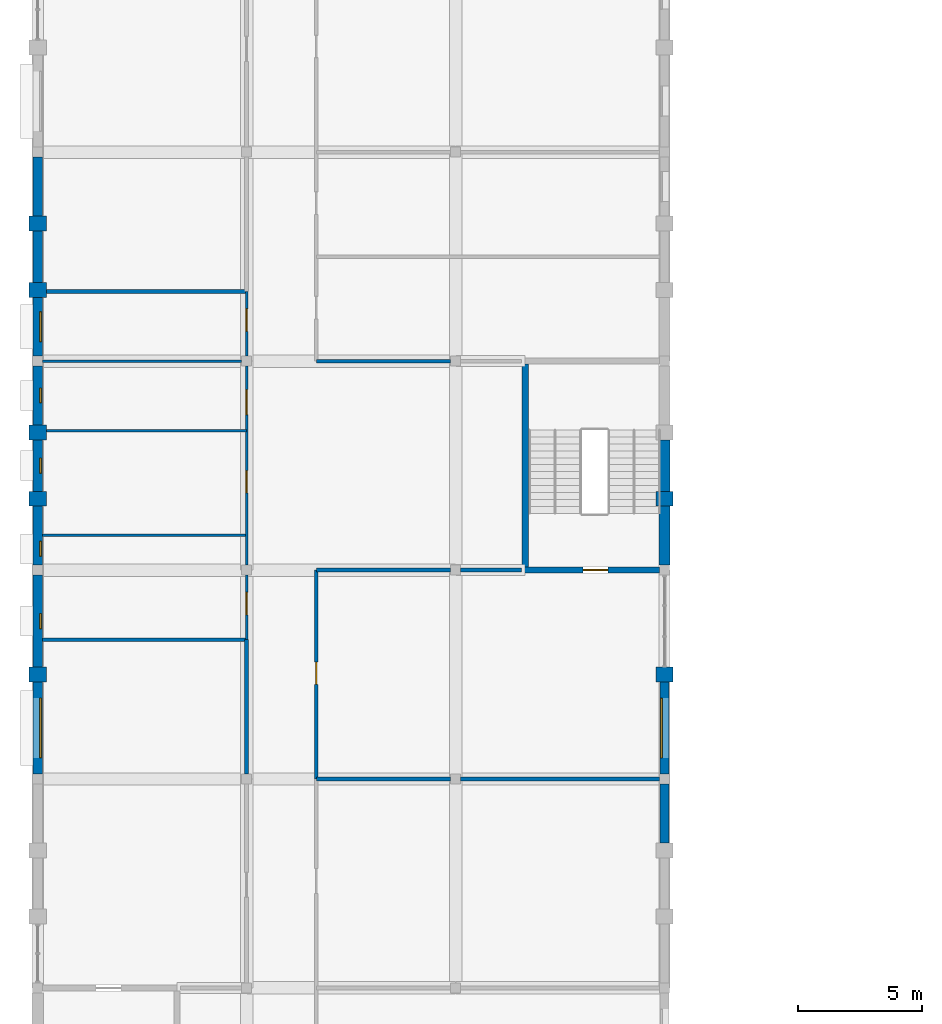
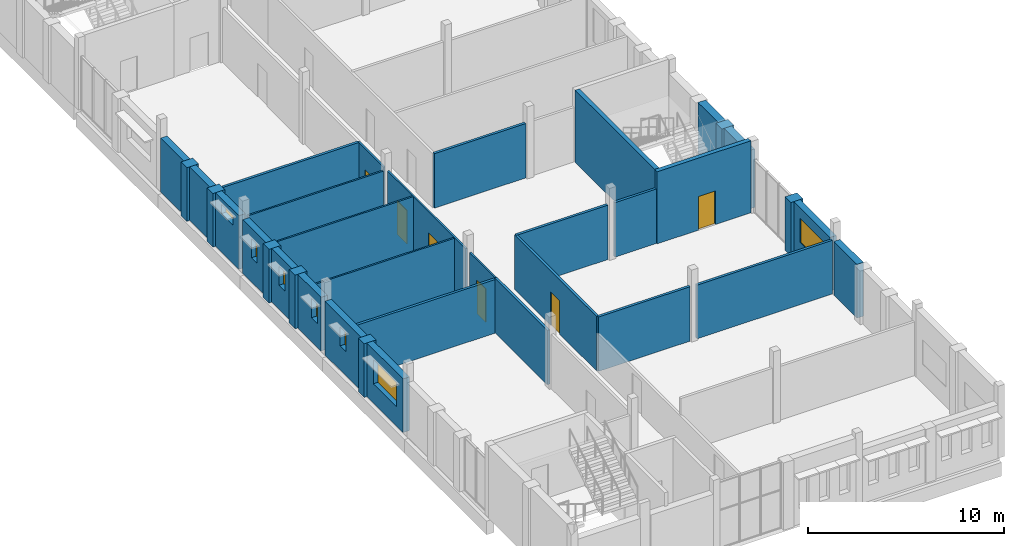
# One storey, part 15 of 22: 36 walls, 7 windows, 6 doors, 13 openings.
"""IFC4 building model written with IfcOpenShell, lengths in metres."""

import ifcopenshell
import ifcopenshell.guid

model = None  # the IFC model being written
_history = None  # IfcOwnerHistory: only IFC2X3 demands one
_inside = {}  # id of a spatial element -> (the spatial element, [elements in it])
_under = {}  # id of a project, library or spatial element -> (it, [spatial elements below it])
_declared = {}  # id of a project -> (the project, [libraries it declares])
_typed = {}  # id of a type object -> (the type object, [elements of that type])
_made_of = {}  # id of a material, layer set ... -> (it, [elements and type objects made of it])


def new_model(schema):
    """Start an empty IFC model of exactly this schema.

    Asked for "IFC4X3", IfcOpenShell would pick the latest addendum, in which some entities
    have other attributes; the version numbers below select the first issue.
    IFC2X3 requires an IfcOwnerHistory on every rooted entity: one is made here for all.
    """
    global model, _history
    if schema == "IFC4X3":
        model = ifcopenshell.file(schema_version=(4, 3, 0, 0))
    else:
        model = ifcopenshell.file(schema=schema)
    _inside.clear()
    _under.clear()
    _declared.clear()
    _typed.clear()
    _made_of.clear()
    _history = None
    if model.schema == "IFC2X3":
        org = make("IfcOrganization", Name="unknown")
        user = make(
            "IfcPersonAndOrganization",
            ThePerson=make("IfcPerson", FamilyName="unknown"),
            TheOrganization=org,
        )
        app = make(
            "IfcApplication",
            ApplicationDeveloper=org,
            Version="unknown",
            ApplicationFullName="unknown",
            ApplicationIdentifier="unknown",
        )
        _history = make(
            "IfcOwnerHistory",
            OwningUser=user,
            OwningApplication=app,
            ChangeAction="ADDED",
            CreationDate=0,
        )
    return model


def make(cls, **values):
    """One entity of the class cls with the attributes given. An attribute that is None is left unset."""
    return model.create_entity(
        cls, **{name: value for name, value in values.items() if value is not None}
    )


def rooted(cls, **values):
    """An entity with a GlobalId (a new one), such as an element, a storey or a relation."""
    return make(cls, GlobalId=ifcopenshell.guid.new(), OwnerHistory=_history, **values)


def si_unit(unit_type, name, prefix=None):
    """IfcSIUnit, for example si_unit("LENGTHUNIT", "METRE", prefix="MILLI")."""
    return make("IfcSIUnit", UnitType=unit_type, Prefix=prefix, Name=name)


def assignment(units):
    """IfcUnitAssignment: the units of a project."""
    return None if units is None else make("IfcUnitAssignment", Units=units)


def point(xyz):
    """IfcCartesianPoint."""
    return None if xyz is None else make("IfcCartesianPoint", Coordinates=xyz)


def direction(xyz):
    """IfcDirection."""
    return None if xyz is None else make("IfcDirection", DirectionRatios=xyz)


def frame(location, z_axis=None, x_axis=None):
    """IfcAxis2Placement3D, a coordinate frame: its origin and axes. An axis left out is left unset."""
    return make(
        "IfcAxis2Placement3D",
        Location=point(location),
        Axis=direction(z_axis),
        RefDirection=direction(x_axis),
    )


def frame_2d(location, x_axis=None):
    """IfcAxis2Placement2D, a coordinate frame in the plane: its origin and x axis."""
    return make(
        "IfcAxis2Placement2D", Location=point(location), RefDirection=direction(x_axis)
    )


def origin():
    """The frame at (0, 0, 0) with its axes left unset."""
    return frame((0.0, 0.0, 0.0))


def place(relative_to, where):
    """IfcLocalPlacement: puts the frame where relative to a parent placement (None: the world)."""
    return make(
        "IfcLocalPlacement", PlacementRelTo=relative_to, RelativePlacement=where
    )


def context(
    kind, dimensions, precision=None, world=None, true_north=None, identifier=None
):
    """IfcGeometricRepresentationContext, for example the 3D "Model" context."""
    return make(
        "IfcGeometricRepresentationContext",
        ContextIdentifier=identifier,
        ContextType=kind,
        CoordinateSpaceDimension=dimensions,
        Precision=precision,
        WorldCoordinateSystem=world,
        TrueNorth=true_north,
    )


def subcontext(parent, identifier, kind, view, scale=None):
    """IfcGeometricRepresentationSubContext, for example "Body" below "Model"."""
    return make(
        "IfcGeometricRepresentationSubContext",
        ContextIdentifier=identifier,
        ContextType=kind,
        ParentContext=parent,
        TargetScale=scale,
        TargetView=view,
    )


def project(units=None, contexts=None):
    """IfcProject with its units and contexts."""
    return rooted(
        "IfcProject",
        Name="project",
        RepresentationContexts=contexts,
        UnitsInContext=assignment(units),
    )


def spatial(cls, under=None, at=None, **own):
    """A site, building, storey or space (cls), placed at a placement, below another one or the project."""
    s = rooted(cls, ObjectPlacement=at, **own)
    if under is not None:
        _under.setdefault(under.id(), (under, []))[1].append(s)
    return s


def profile(cls, at=None, kind="AREA", **sizes):
    """A parametric profile (cls). Its sizes go by their IFC names, for example OverallWidth=200.0."""
    return make(cls, ProfileType=kind, Position=at, **sizes)


def rectangle(**sizes):
    """IfcRectangleProfileDef."""
    return profile("IfcRectangleProfileDef", **sizes)


def extrude(swept, where, along, depth):
    """IfcExtrudedAreaSolid: the profile swept, set in the frame where, extruded along a direction by depth."""
    return make(
        "IfcExtrudedAreaSolid",
        SweptArea=swept,
        Position=where,
        ExtrudedDirection=direction(along),
        Depth=depth,
    )


def shape(context_of_items, identifier, shape_type, items):
    """IfcShapeRepresentation: the items that make up one representation, for example the "Body"."""
    return make(
        "IfcShapeRepresentation",
        ContextOfItems=context_of_items,
        RepresentationIdentifier=identifier,
        RepresentationType=shape_type,
        Items=items,
    )


def material(Name=None, Category=None):
    """IfcMaterial."""
    return make("IfcMaterial", Name=Name, Category=Category)


def layer(
    of_material, thickness, ventilated=None, Name=None, Category=None, Priority=None
):
    """IfcMaterialLayer: one layer of a wall or slab, of a material (None: an air gap)."""
    return make(
        "IfcMaterialLayer",
        Material=of_material,
        LayerThickness=thickness,
        IsVentilated=ventilated,
        Name=Name,
        Category=Category,
        Priority=Priority,
    )


def layer_set(layers, Name=None):
    """IfcMaterialLayerSet."""
    return make("IfcMaterialLayerSet", MaterialLayers=layers, LayerSetName=Name)


def made_of(thing, what):
    """Note that an element or type object is made of a material, layer set ...; save() writes the relation."""
    if what is not None:
        _made_of.setdefault(what.id(), (what, []))[1].append(thing)
    return thing


def type_object(cls, material=None, **own):
    """A type object (cls), such as IfcWallType, which elements share."""
    return made_of(rooted(cls, **own), material)


def element(
    cls,
    number,
    at=None,
    inside=None,
    cuts=None,
    type_object=None,
    material=None,
    context=None,
    identifier="Body",
    shape_type=None,
    held_by="IfcProductDefinitionShape",
    body=None,
    shapes=None,
    **own,
):
    """One element of the class cls, such as IfcWall. Its Tag is "e" and its number.

    at: its placement. inside: the storey or other place that contains it. cuts: it is an
    opening in that element (IfcRelVoidsElement). A single representation is given by context,
    identifier, shape_type and body (its items); several are given by shapes. held_by: the class
    of the entity that holds the representations. save() writes the other relations.
    """
    e = rooted(cls, Tag="e%d" % number, ObjectPlacement=at, **own)
    if body is not None:
        shapes = [shape(context, identifier, shape_type, body)]
    if shapes is not None:
        e.Representation = make(held_by, Representations=shapes)
    if inside is not None:
        _inside.setdefault(inside.id(), (inside, []))[1].append(e)
    if cuts is not None:
        rooted(
            "IfcRelVoidsElement", RelatingBuildingElement=cuts, RelatedOpeningElement=e
        )
    if type_object is not None:
        _typed.setdefault(type_object.id(), (type_object, []))[1].append(e)
    return made_of(e, material)


def fill(opening, filler):
    """IfcRelFillsElement: the door or window that sits in an opening."""
    return rooted(
        "IfcRelFillsElement",
        RelatingOpeningElement=opening,
        RelatedBuildingElement=filler,
    )


def aggregate(whole, parts):
    """IfcRelAggregates: a whole, such as a stair, and the parts it consists of."""
    return rooted("IfcRelAggregates", RelatingObject=whole, RelatedObjects=parts)


def save(model, path):
    """Write the relations noted so far, then the file.

    IfcRelAggregates (storeys below a building ...), IfcRelContainedInSpatialStructure (elements
    in a storey), IfcRelDefinesByType, IfcRelAssociatesMaterial and IfcRelDeclares: one each for
    every whole, place, type object, material and project.
    """
    for whole, parts in _under.values():
        aggregate(whole, parts)
    for where, things in _inside.values():
        rooted(
            "IfcRelContainedInSpatialStructure",
            RelatedElements=things,
            RelatingStructure=where,
        )
    for kind, things in _typed.values():
        rooted("IfcRelDefinesByType", RelatedObjects=things, RelatingType=kind)
    for what, things in _made_of.values():
        rooted("IfcRelAssociatesMaterial", RelatedObjects=things, RelatingMaterial=what)
    for by, libraries in _declared.values():
        rooted("IfcRelDeclares", RelatingContext=by, RelatedDefinitions=libraries)
    model.write(path)


model = new_model("IFC4")

# Units and contexts
model_context = context("Model", 3, precision=1e-05, world=origin(), true_north=direction((0.0, 1.0)))
body_context = subcontext(model_context, "Body", "Model", "MODEL_VIEW")
ifc_project = project(units=[si_unit("LENGTHUNIT", "METRE"), si_unit("AREAUNIT", "SQUARE_METRE"), si_unit("VOLUMEUNIT", "CUBIC_METRE"), si_unit("PLANEANGLEUNIT", "RADIAN"), si_unit("MASSUNIT", "GRAM", prefix="KILO")], contexts=[model_context])

# Site, building, storey
site_placement = place(None, origin())
site = spatial("IfcSite", under=ifc_project, at=site_placement, CompositionType="ELEMENT")
building_placement = place(site_placement, origin())
building = spatial("IfcBuilding", under=site, at=building_placement, Name="Fescue Hill Polytechnic", CompositionType="ELEMENT")
storey_placement = place(building_placement, frame((0.0, 0.0, 27.0)))
storey = spatial("IfcBuildingStorey", under=building, at=storey_placement, Name="L06", CompositionType="ELEMENT", Elevation=27.0)

# Wall, opening, door
ifc_material_1 = material(Name="Concrete 40 MPa", Category="concrete")
ifc_layer_1 = layer(ifc_material_1, 0.25)
ifc_layer_set_1 = layer_set([ifc_layer_1], Name="Concrete 40 MPa")
wall_type_1 = type_object("IfcWallType", Name="Core wall 250", PredefinedType="SHEAR", material=ifc_layer_set_1)
wall_1_placement = place(storey_placement, frame((19.47509765625, 75.60009765625, 0.0), z_axis=(0.0, 0.0, 1.0), x_axis=(1.0, 0.0, 0.0)))
wall_1 = element("IfcWall", 1, at=wall_1_placement, inside=storey, type_object=wall_type_1, Name="CW-L06-ST-V4-3-11", PredefinedType="SHEAR", context=body_context, shape_type="SweptSolid", body=[
    extrude(rectangle(XDim=5.52490234375, YDim=0.25, at=frame_2d((2.762451171875, 0.0))), origin(), (0.0, 0.0, 1.0), 4.5),
])
opening_1_placement = place(wall_1_placement, frame((2.449951171875, 0.0, 0.0)))
opening_1 = element("IfcOpeningElement", 2, at=opening_1_placement, cuts=wall_1, Name="Opening D6028", PredefinedType="OPENING", context=body_context, shape_type="SweptSolid", body=[
    extrude(rectangle(XDim=1.0, YDim=2.10009765625, at=frame_2d((0.5, 1.050048828125))), frame((0.0, 0.135009765625, 0.0), z_axis=(0.0, -1.0, 0.0), x_axis=(1.0, 0.0, 0.0)), (0.0, 0.0, 1.0), 0.27001953125),
])
ifc_material_2 = material(Name="Steel fire door", Category="steel")
door_type_1 = type_object("IfcDoorType", Name="Door single swing 1000x2100 stair fire rated", OperationType="NOTDEFINED", PredefinedType="DOOR", material=ifc_material_2)
door_1_placement = place(opening_1_placement, origin())
door_1 = element("IfcDoor", 3, at=door_1_placement, inside=storey, type_object=door_type_1, Name="L06 ST-V4-3 stair door", OperationType="SINGLE_SWING_LEFT", OverallHeight=2.10009765625, OverallWidth=1.0, PredefinedType="DOOR", context=body_context, shape_type="SweptSolid", body=[
    extrude(rectangle(XDim=1.0, YDim=2.10009765625, at=frame_2d((0.5, 1.050048828125))), frame((0.0, 0.02490234375, 0.0), z_axis=(0.0, -1.0, 0.0), x_axis=(1.0, 0.0, 0.0)), (0.0, 0.0, 1.0), 0.050048828125),
])
fill(opening_1, door_1)

# Wall
wall_2_placement = place(storey_placement, frame((19.60009765625, 75.72509765625, 0.0), z_axis=(0.0, 0.0, 1.0), x_axis=(0.0, 1.0, 0.0)))
element("IfcWall", 4, at=wall_2_placement, inside=storey, type_object=wall_type_1, Name="CW-L06-ST-V4-3-31", PredefinedType="SHEAR", context=body_context, shape_type="SweptSolid", body=[
    extrude(rectangle(XDim=8.14990234375, YDim=0.25, at=frame_2d((4.074951171875, 0.0))), origin(), (0.0, 0.0, 1.0), 4.5),
])

# Wall, opening, door
ifc_material_3 = material(Name="Gypsum board partition")
ifc_layer_2 = layer(ifc_material_3, 0.14990234375)
ifc_layer_set_2 = layer_set([ifc_layer_2], Name="Gypsum board partition")
wall_type_2 = type_object("IfcWallType", Name="Corridor wall 150 EI 45", PredefinedType="PARTITIONING", material=ifc_layer_set_2)
wall_3_placement = place(storey_placement, frame((11.199951171875, 67.199951171875, 0.0), z_axis=(0.0, 0.0, 1.0), x_axis=(0.0, 1.0, 0.0)))
wall_3 = element("IfcWall", 5, at=wall_3_placement, inside=storey, type_object=wall_type_2, Name="IW-L06-043", PredefinedType="PARTITIONING", context=body_context, shape_type="SweptSolid", body=[
    extrude(rectangle(XDim=8.400146484375, YDim=0.14990234375, at=frame_2d((4.2001953125, 0.0))), origin(), (0.0, 0.0, 1.0), 3.39990234375),
])
opening_2_placement = place(wall_3_placement, frame((3.800048828125, 0.0, 0.0)))
opening_2 = element("IfcOpeningElement", 6, at=opening_2_placement, cuts=wall_3, Name="Opening D6009", PredefinedType="OPENING", context=body_context, shape_type="SweptSolid", body=[
    extrude(rectangle(XDim=0.89990234375, YDim=2.10009765625, at=frame_2d((0.449951171875, 1.050048828125))), frame((0.0, 0.0849609375, 0.0), z_axis=(0.0, -1.0, 0.0), x_axis=(1.0, 0.0, 0.0)), (0.0, 0.0, 1.0), 0.169921875),
])
ifc_material_4 = material(Name="Timber", Category="wood")
door_type_2 = type_object("IfcDoorType", Name="Door single swing 900x2100 FD30S", OperationType="SINGLE_SWING_LEFT", PredefinedType="DOOR", material=ifc_material_4)
door_2_placement = place(opening_2_placement, origin())
door_2 = element("IfcDoor", 7, at=door_2_placement, inside=storey, type_object=door_type_2, Name="Door D6009", OperationType="SINGLE_SWING_RIGHT", OverallHeight=2.10009765625, OverallWidth=0.89990234375, PredefinedType="DOOR", context=body_context, shape_type="SweptSolid", body=[
    extrude(rectangle(XDim=0.89990234375, YDim=2.10009765625, at=frame_2d((0.449951171875, 1.050048828125))), frame((0.0, 0.02490234375, 0.0), z_axis=(0.0, -1.0, 0.0), x_axis=(1.0, 0.0, 0.0)), (0.0, 0.0, 1.0), 0.050048828125),
])
fill(opening_2, door_2)

# Walls
ifc_layer_3 = layer(ifc_material_1, 0.449951171875)
ifc_layer_set_3 = layer_set([ifc_layer_3], Name="Concrete 40 MPa")
wall_type_3 = type_object("IfcWallType", Name="Exterior wall board-marked concrete 450 load-bearing", PredefinedType="SOLIDWALL", material=ifc_layer_set_3)
wall_4_placement = place(storey_placement, frame((25.199951171875, 75.800048828125, 0.0), z_axis=(0.0, 0.0, 1.0), x_axis=(0.0, 1.0, 0.0)))
element("IfcWall", 8, at=wall_4_placement, inside=storey, type_object=wall_type_3, Name="EW-L06-V4-8", PredefinedType="SOLIDWALL", context=body_context, shape_type="SweptSolid", body=[
    extrude(rectangle(XDim=2.36669921875, YDim=0.449951171875, at=frame_2d((1.183349609375, 0.0))), origin(), (0.0, 0.0, 1.0), 3.64990234375),
])
wall_5_placement = place(storey_placement, frame((25.199951171875, 78.7666015625, 0.0), z_axis=(0.0, 0.0, 1.0), x_axis=(0.0, 1.0, 0.0)))
element("IfcWall", 9, at=wall_5_placement, inside=storey, type_object=wall_type_3, Name="EW-L06-V4-9", PredefinedType="SOLIDWALL", context=body_context, shape_type="SweptSolid", body=[
    extrude(rectangle(XDim=2.066650390625, YDim=0.449951171875, at=frame_2d((1.033203125, 0.0))), origin(), (0.0, 0.0, 1.0), 3.64990234375),
])
ifc_material_5 = material(Name="Terracotta rainscreen on concrete block", Category="masonry")
ifc_layer_4 = layer(ifc_material_5, 0.3798828125)
ifc_layer_set_4 = layer_set([ifc_layer_4], Name="Terracotta rainscreen on concrete block")
wall_type_4 = type_object("IfcWallType", Name="Exterior wall rainscreen terracotta on blockwork 380", PredefinedType="SOLIDWALL", material=ifc_layer_set_4)
wall_6_placement = place(storey_placement, frame((25.199951171875, 64.63330078125, 0.0), z_axis=(0.0, 0.0, 1.0), x_axis=(0.0, 1.0, 0.0)))
element("IfcWall", 10, at=wall_6_placement, inside=storey, type_object=wall_type_4, Name="EW-L06-V4-5", PredefinedType="SOLIDWALL", context=body_context, shape_type="SweptSolid", body=[
    extrude(rectangle(XDim=2.36669921875, YDim=0.3798828125, at=frame_2d((1.183349609375, 0.0))), origin(), (0.0, 0.0, 1.0), 3.35009765625),
])

# Wall, opening, window
wall_7_placement = place(storey_placement, frame((25.199951171875, 67.39990234375, 0.0), z_axis=(0.0, 0.0, 1.0), x_axis=(0.0, 1.0, 0.0)))
wall_7 = element("IfcWall", 11, at=wall_7_placement, inside=storey, type_object=wall_type_4, Name="EW-L06-V4-6", PredefinedType="SOLIDWALL", context=body_context, shape_type="SweptSolid", body=[
    extrude(rectangle(XDim=3.7001953125, YDim=0.3798828125, at=frame_2d((1.85009765625, 0.0))), origin(), (0.0, 0.0, 1.0), 3.35009765625),
])
opening_3_placement = place(wall_7_placement, frame((0.64990234375, 0.0, 1.199951171875)))
opening_3 = element("IfcOpeningElement", 12, at=opening_3_placement, cuts=wall_7, Name="Opening W3", PredefinedType="OPENING", context=body_context, shape_type="SweptSolid", body=[
    extrude(rectangle(XDim=2.39990234375, YDim=1.5, at=frame_2d((1.199951171875, 0.75))), frame((0.0, 0.199951171875, 0.0), z_axis=(0.0, -1.0, 0.0), x_axis=(1.0, 0.0, 0.0)), (0.0, 0.0, 1.0), 0.39990234375),
])
ifc_material_6 = material(Name="Powder-coated aluminium and glass", Category="aluminium")
window_type_1 = type_object("IfcWindowType", Name="Window laboratory strip 2400x1500", PartitioningType="TRIPLE_PANEL_VERTICAL", PredefinedType="WINDOW", material=ifc_material_6)
window_1_placement = place(opening_3_placement, origin())
window_1 = element("IfcWindow", 13, at=window_1_placement, inside=storey, type_object=window_type_1, Name="WN-L06-V4-3", OverallHeight=1.5, OverallWidth=2.39990234375, PartitioningType="SINGLE_PANEL", PredefinedType="WINDOW", context=body_context, shape_type="SweptSolid", body=[
    extrude(rectangle(XDim=2.39990234375, YDim=1.5, at=frame_2d((1.199951171875, 0.75))), frame((0.0, 0.150146484375, 0.0), z_axis=(0.0, -1.0, 0.0), x_axis=(1.0, 0.0, 0.0)), (0.0, 0.0, 1.0), 0.06005859375),
])
fill(opening_3, window_1)

# Walls
wall_8_placement = place(storey_placement, frame((0.0, 92.199951171875, 0.0), z_axis=(0.0, 0.0, 1.0), x_axis=(0.0, -1.0, 0.0)))
element("IfcWall", 14, at=wall_8_placement, inside=storey, type_object=wall_type_4, Name="EW-L06-V4-24", PredefinedType="SOLIDWALL", context=body_context, shape_type="SweptSolid", body=[
    extrude(rectangle(XDim=2.36669921875, YDim=0.3798828125, at=frame_2d((1.183349609375, 0.0))), origin(), (0.0, 0.0, 1.0), 3.35009765625),
])
wall_9_placement = place(storey_placement, frame((0.0, 89.2333984375, 0.0), z_axis=(0.0, 0.0, 1.0), x_axis=(0.0, -1.0, 0.0)))
element("IfcWall", 15, at=wall_9_placement, inside=storey, type_object=wall_type_4, Name="EW-L06-V4-25", PredefinedType="SOLIDWALL", context=body_context, shape_type="SweptSolid", body=[
    extrude(rectangle(XDim=2.066650390625, YDim=0.3798828125, at=frame_2d((1.033203125, 0.0))), origin(), (0.0, 0.0, 1.0), 3.35009765625),
])

# Wall, opening, window
wall_10_placement = place(storey_placement, frame((0.0, 86.566650390625, 0.0), z_axis=(0.0, 0.0, 1.0), x_axis=(0.0, -1.0, 0.0)))
wall_10 = element("IfcWall", 16, at=wall_10_placement, inside=storey, type_object=wall_type_4, Name="EW-L06-V4-26", PredefinedType="SOLIDWALL", context=body_context, shape_type="SweptSolid", body=[
    extrude(rectangle(XDim=2.36669921875, YDim=0.3798828125, at=frame_2d((1.183349609375, 0.0))), origin(), (0.0, 0.0, 1.0), 3.35009765625),
])
opening_4_placement = place(wall_10_placement, frame((0.583251953125, 0.0, 2.39990234375)))
opening_4 = element("IfcOpeningElement", 17, at=opening_4_placement, cuts=wall_10, Name="Opening W12", PredefinedType="OPENING", context=body_context, shape_type="SweptSolid", body=[
    extrude(rectangle(XDim=1.199951171875, YDim=0.60009765625, at=frame_2d((0.60009765625, 0.300048828125))), frame((0.0, 0.199951171875, 0.0), z_axis=(0.0, -1.0, 0.0), x_axis=(1.0, 0.0, 0.0)), (0.0, 0.0, 1.0), 0.39990234375),
])
window_type_2 = type_object("IfcWindowType", Name="Window plant and store high-level 1200x600", PartitioningType="SINGLE_PANEL", PredefinedType="WINDOW", material=ifc_material_6)
window_2_placement = place(opening_4_placement, origin())
window_2 = element("IfcWindow", 18, at=window_2_placement, inside=storey, type_object=window_type_2, Name="WN-L06-V4-8", OverallHeight=0.60009765625, OverallWidth=1.199951171875, PartitioningType="SINGLE_PANEL", PredefinedType="WINDOW", context=body_context, shape_type="SweptSolid", body=[
    extrude(rectangle(XDim=1.199951171875, YDim=0.60009765625, at=frame_2d((0.60009765625, 0.300048828125))), frame((0.0, 0.150146484375, 0.0), z_axis=(0.0, -1.0, 0.0), x_axis=(1.0, 0.0, 0.0)), (0.0, 0.0, 1.0), 0.06005859375),
])
fill(opening_4, window_2)

wall_11_placement = place(storey_placement, frame((0.0, 83.800048828125, 0.0), z_axis=(0.0, 0.0, 1.0), x_axis=(0.0, -1.0, 0.0)))
wall_11 = element("IfcWall", 19, at=wall_11_placement, inside=storey, type_object=wall_type_4, Name="EW-L06-V4-27", PredefinedType="SOLIDWALL", context=body_context, shape_type="SweptSolid", body=[
    extrude(rectangle(XDim=2.36669921875, YDim=0.3798828125, at=frame_2d((1.183349609375, 0.0))), origin(), (0.0, 0.0, 1.0), 3.35009765625),
])
opening_5_placement = place(wall_11_placement, frame((0.88330078125, 0.0, 1.5)))
opening_5 = element("IfcOpeningElement", 20, at=opening_5_placement, cuts=wall_11, Name="Opening W11", PredefinedType="OPENING", context=body_context, shape_type="SweptSolid", body=[
    extrude(rectangle(XDim=0.60009765625, YDim=1.199951171875, at=frame_2d((0.300048828125, 0.60009765625))), frame((0.0, 0.199951171875, 0.0), z_axis=(0.0, -1.0, 0.0), x_axis=(1.0, 0.0, 0.0)), (0.0, 0.0, 1.0), 0.39990234375),
])
window_type_3 = type_object("IfcWindowType", Name="Window WC high-level 600x1200", PartitioningType="SINGLE_PANEL", PredefinedType="WINDOW", material=ifc_material_6)
window_3_placement = place(opening_5_placement, origin())
window_3 = element("IfcWindow", 21, at=window_3_placement, inside=storey, type_object=window_type_3, Name="WN-L06-V4-9", OverallHeight=1.199951171875, OverallWidth=0.60009765625, PartitioningType="SINGLE_PANEL", PredefinedType="WINDOW", context=body_context, shape_type="SweptSolid", body=[
    extrude(rectangle(XDim=0.60009765625, YDim=1.199951171875, at=frame_2d((0.300048828125, 0.60009765625))), frame((0.0, 0.150146484375, 0.0), z_axis=(0.0, -1.0, 0.0), x_axis=(1.0, 0.0, 0.0)), (0.0, 0.0, 1.0), 0.06005859375),
])
fill(opening_5, window_3)

wall_12_placement = place(storey_placement, frame((0.0, 80.833251953125, 0.0), z_axis=(0.0, 0.0, 1.0), x_axis=(0.0, -1.0, 0.0)))
wall_12 = element("IfcWall", 22, at=wall_12_placement, inside=storey, type_object=wall_type_4, Name="EW-L06-V4-28", PredefinedType="SOLIDWALL", context=body_context, shape_type="SweptSolid", body=[
    extrude(rectangle(XDim=2.066650390625, YDim=0.3798828125, at=frame_2d((1.033203125, 0.0))), origin(), (0.0, 0.0, 1.0), 3.35009765625),
])
opening_6_placement = place(wall_12_placement, frame((0.7333984375, 0.0, 1.5)))
opening_6 = element("IfcOpeningElement", 23, at=opening_6_placement, cuts=wall_12, Name="Opening W11", PredefinedType="OPENING", context=body_context, shape_type="SweptSolid", body=[
    extrude(rectangle(XDim=0.60009765625, YDim=1.199951171875, at=frame_2d((0.300048828125, 0.60009765625))), frame((0.0, 0.199951171875, 0.0), z_axis=(0.0, -1.0, 0.0), x_axis=(1.0, 0.0, 0.0)), (0.0, 0.0, 1.0), 0.39990234375),
])
window_4_placement = place(opening_6_placement, origin())
window_4 = element("IfcWindow", 24, at=window_4_placement, inside=storey, type_object=window_type_3, Name="WN-L06-V4-10", OverallHeight=1.199951171875, OverallWidth=0.60009765625, PartitioningType="SINGLE_PANEL", PredefinedType="WINDOW", context=body_context, shape_type="SweptSolid", body=[
    extrude(rectangle(XDim=0.60009765625, YDim=1.199951171875, at=frame_2d((0.300048828125, 0.60009765625))), frame((0.0, 0.150146484375, 0.0), z_axis=(0.0, -1.0, 0.0), x_axis=(1.0, 0.0, 0.0)), (0.0, 0.0, 1.0), 0.06005859375),
])
fill(opening_6, window_4)

wall_13_placement = place(storey_placement, frame((0.0, 78.166748046875, 0.0), z_axis=(0.0, 0.0, 1.0), x_axis=(0.0, -1.0, 0.0)))
wall_13 = element("IfcWall", 25, at=wall_13_placement, inside=storey, type_object=wall_type_4, Name="EW-L06-V4-29", PredefinedType="SOLIDWALL", context=body_context, shape_type="SweptSolid", body=[
    extrude(rectangle(XDim=2.36669921875, YDim=0.3798828125, at=frame_2d((1.183349609375, 0.0))), origin(), (0.0, 0.0, 1.0), 3.35009765625),
])
opening_7_placement = place(wall_13_placement, frame((1.416748046875, 0.0, 1.5)))
opening_7 = element("IfcOpeningElement", 26, at=opening_7_placement, cuts=wall_13, Name="Opening W11", PredefinedType="OPENING", context=body_context, shape_type="SweptSolid", body=[
    extrude(rectangle(XDim=0.60009765625, YDim=1.199951171875, at=frame_2d((0.300048828125, 0.60009765625))), frame((0.0, 0.199951171875, 0.0), z_axis=(0.0, -1.0, 0.0), x_axis=(1.0, 0.0, 0.0)), (0.0, 0.0, 1.0), 0.39990234375),
])
window_5_placement = place(opening_7_placement, origin())
window_5 = element("IfcWindow", 27, at=window_5_placement, inside=storey, type_object=window_type_3, Name="WN-L06-V4-11", OverallHeight=1.199951171875, OverallWidth=0.60009765625, PartitioningType="SINGLE_PANEL", PredefinedType="WINDOW", context=body_context, shape_type="SweptSolid", body=[
    extrude(rectangle(XDim=0.60009765625, YDim=1.199951171875, at=frame_2d((0.300048828125, 0.60009765625))), frame((0.0, 0.150146484375, 0.0), z_axis=(0.0, -1.0, 0.0), x_axis=(1.0, 0.0, 0.0)), (0.0, 0.0, 1.0), 0.06005859375),
])
fill(opening_7, window_5)

wall_14_placement = place(storey_placement, frame((0.0, 75.39990234375, 0.0), z_axis=(0.0, 0.0, 1.0), x_axis=(0.0, -1.0, 0.0)))
wall_14 = element("IfcWall", 28, at=wall_14_placement, inside=storey, type_object=wall_type_4, Name="EW-L06-V4-30", PredefinedType="SOLIDWALL", context=body_context, shape_type="SweptSolid", body=[
    extrude(rectangle(XDim=3.699951171875, YDim=0.3798828125, at=frame_2d((1.85009765625, 0.0))), origin(), (0.0, 0.0, 1.0), 3.35009765625),
])
opening_8_placement = place(wall_14_placement, frame((1.550048828125, 0.0, 1.5)))
opening_8 = element("IfcOpeningElement", 29, at=opening_8_placement, cuts=wall_14, Name="Opening W11", PredefinedType="OPENING", context=body_context, shape_type="SweptSolid", body=[
    extrude(rectangle(XDim=0.60009765625, YDim=1.199951171875, at=frame_2d((0.300048828125, 0.60009765625))), frame((0.0, 0.199951171875, 0.0), z_axis=(0.0, -1.0, 0.0), x_axis=(1.0, 0.0, 0.0)), (0.0, 0.0, 1.0), 0.39990234375),
])
window_6_placement = place(opening_8_placement, origin())
window_6 = element("IfcWindow", 30, at=window_6_placement, inside=storey, type_object=window_type_3, Name="WN-L06-V4-12", OverallHeight=1.199951171875, OverallWidth=0.60009765625, PartitioningType="SINGLE_PANEL", PredefinedType="WINDOW", context=body_context, shape_type="SweptSolid", body=[
    extrude(rectangle(XDim=0.60009765625, YDim=1.199951171875, at=frame_2d((0.300048828125, 0.60009765625))), frame((0.0, 0.150146484375, 0.0), z_axis=(0.0, -1.0, 0.0), x_axis=(1.0, 0.0, 0.0)), (0.0, 0.0, 1.0), 0.06005859375),
])
fill(opening_8, window_6)

wall_15_placement = place(storey_placement, frame((0.0, 71.10009765625, 0.0), z_axis=(0.0, 0.0, 1.0), x_axis=(0.0, -1.0, 0.0)))
wall_15 = element("IfcWall", 31, at=wall_15_placement, inside=storey, type_object=wall_type_4, Name="EW-L06-V4-31", PredefinedType="SOLIDWALL", context=body_context, shape_type="SweptSolid", body=[
    extrude(rectangle(XDim=3.7001953125, YDim=0.3798828125, at=frame_2d((1.85009765625, 0.0))), origin(), (0.0, 0.0, 1.0), 3.35009765625),
])
opening_9_placement = place(wall_15_placement, frame((0.64990234375, 0.0, 1.199951171875)))
opening_9 = element("IfcOpeningElement", 32, at=opening_9_placement, cuts=wall_15, Name="Opening W3", PredefinedType="OPENING", context=body_context, shape_type="SweptSolid", body=[
    extrude(rectangle(XDim=2.39990234375, YDim=1.5, at=frame_2d((1.199951171875, 0.75))), frame((0.0, 0.199951171875, 0.0), z_axis=(0.0, -1.0, 0.0), x_axis=(1.0, 0.0, 0.0)), (0.0, 0.0, 1.0), 0.39990234375),
])
window_7_placement = place(opening_9_placement, origin())
window_7 = element("IfcWindow", 33, at=window_7_placement, inside=storey, type_object=window_type_1, Name="WN-L06-V4-13", OverallHeight=1.5, OverallWidth=2.39990234375, PartitioningType="SINGLE_PANEL", PredefinedType="WINDOW", context=body_context, shape_type="SweptSolid", body=[
    extrude(rectangle(XDim=2.39990234375, YDim=1.5, at=frame_2d((1.199951171875, 0.75))), frame((0.0, 0.150146484375, 0.0), z_axis=(0.0, -1.0, 0.0), x_axis=(1.0, 0.0, 0.0)), (0.0, 0.0, 1.0), 0.06005859375),
])
fill(opening_9, window_7)

# Walls
ifc_layer_5 = layer(ifc_material_1, 0.699951171875)
ifc_layer_set_5 = layer_set([ifc_layer_5], Name="Concrete 40 MPa")
wall_type_5 = type_object("IfcWallType", Name="Fin wall board-marked 600x700", PredefinedType="SOLIDWALL", material=ifc_layer_set_5)
wall_16_placement = place(storey_placement, frame((25.199951171875, 71.10009765625, 0.0), z_axis=(0.0, 0.0, 1.0), x_axis=(0.0, 1.0, 0.0)))
element("IfcWall", 34, at=wall_16_placement, inside=storey, type_object=wall_type_5, Name="PR-L06-V4-4", PredefinedType="SOLIDWALL", context=body_context, shape_type="SweptSolid", body=[
    extrude(rectangle(XDim=0.599853515625, YDim=0.699951171875, at=frame_2d((0.2998046875, 0.0))), origin(), (0.0, 0.0, 1.0), 3.35009765625),
])
wall_17_placement = place(storey_placement, frame((25.199951171875, 78.166748046875, 0.0), z_axis=(0.0, 0.0, 1.0), x_axis=(0.0, 1.0, 0.0)))
element("IfcWall", 35, at=wall_17_placement, inside=storey, type_object=wall_type_5, Name="PR-L06-V4-5", PredefinedType="SOLIDWALL", context=body_context, shape_type="SweptSolid", body=[
    extrude(rectangle(XDim=0.599853515625, YDim=0.699951171875, at=frame_2d((0.2998046875, 0.0))), origin(), (0.0, 0.0, 1.0), 3.64990234375),
])
wall_18_placement = place(storey_placement, frame((0.0, 89.833251953125, 0.0), z_axis=(0.0, 0.0, 1.0), x_axis=(0.0, -1.0, 0.0)))
element("IfcWall", 36, at=wall_18_placement, inside=storey, type_object=wall_type_5, Name="PR-L06-V4-15", PredefinedType="SOLIDWALL", context=body_context, shape_type="SweptSolid", body=[
    extrude(rectangle(XDim=0.599853515625, YDim=0.699951171875, at=frame_2d((0.2998046875, 0.0))), origin(), (0.0, 0.0, 1.0), 3.35009765625),
])
for number, where, z_axis, x_axis, name in (
    (37, (0.0, 87.166748046875, 0.0), (0.0, 0.0, 1.0), (0.0, -1.0, 0.0), "PR-L06-V4-16"),
    (38, (0.0, 81.433349609375, 0.0), (0.0, 0.0, 1.0), (0.0, -1.0, 0.0), "PR-L06-V4-17"),
):
    element("IfcWall", number, at=place(storey_placement, frame(where, z_axis=z_axis, x_axis=x_axis)), inside=storey, type_object=wall_type_5, Name=name, PredefinedType="SOLIDWALL", context=body_context, shape_type="SweptSolid", body=[
        extrude(rectangle(XDim=0.60009765625, YDim=0.699951171875, at=frame_2d((0.300048828125, 0.0))), origin(), (0.0, 0.0, 1.0), 3.35009765625),
    ])
for number, where, z_axis, x_axis, name in (
    (39, (0.0, 78.7666015625, 0.0), (0.0, 0.0, 1.0), (0.0, -1.0, 0.0), "PR-L06-V4-18"),
    (40, (0.0, 71.699951171875, 0.0), (0.0, 0.0, 1.0), (0.0, -1.0, 0.0), "PR-L06-V4-19"),
):
    element("IfcWall", number, at=place(storey_placement, frame(where, z_axis=z_axis, x_axis=x_axis)), inside=storey, type_object=wall_type_5, Name=name, PredefinedType="SOLIDWALL", context=body_context, shape_type="SweptSolid", body=[
        extrude(rectangle(XDim=0.599853515625, YDim=0.699951171875, at=frame_2d((0.2998046875, 0.0))), origin(), (0.0, 0.0, 1.0), 3.35009765625),
    ])
ifc_material_7 = material(Name="Concrete masonry block 15 MPa", Category="masonry")
ifc_layer_6 = layer(ifc_material_7, 0.14990234375)
ifc_layer_set_6 = layer_set([ifc_layer_6], Name="Concrete masonry block 15 MPa")
wall_type_6 = type_object("IfcWallType", Name="Laboratory wall 150 block EI 60", PredefinedType="PARTITIONING", material=ifc_layer_set_6)
wall_19_placement = place(storey_placement, frame((11.199951171875, 67.199951171875, 0.0), z_axis=(0.0, 0.0, 1.0), x_axis=(1.0, 0.0, 0.0)))
element("IfcWall", 41, at=wall_19_placement, inside=storey, type_object=wall_type_6, Name="IW-L06-004", PredefinedType="PARTITIONING", context=body_context, shape_type="SweptSolid", body=[
    extrude(rectangle(XDim=5.400146484375, YDim=0.14990234375, at=frame_2d((2.7001953125, 0.0))), origin(), (0.0, 0.0, 1.0), 3.39990234375),
])
wall_20_placement = place(storey_placement, frame((17.0, 67.199951171875, 0.0), z_axis=(0.0, 0.0, 1.0), x_axis=(1.0, 0.0, 0.0)))
element("IfcWall", 42, at=wall_20_placement, inside=storey, type_object=wall_type_6, Name="IW-L06-005", PredefinedType="PARTITIONING", context=body_context, shape_type="SweptSolid", body=[
    extrude(rectangle(XDim=8.0, YDim=0.14990234375, at=frame_2d((4.0, 0.0))), origin(), (0.0, 0.0, 1.0), 3.35009765625),
])
wall_21_placement = place(storey_placement, frame((0.18994140625, 72.800048828125, 0.0), z_axis=(0.0, 0.0, 1.0), x_axis=(1.0, 0.0, 0.0)))
element("IfcWall", 43, at=wall_21_placement, inside=storey, type_object=wall_type_6, Name="IW-L06-006", PredefinedType="PARTITIONING", context=body_context, shape_type="SweptSolid", body=[
    extrude(rectangle(XDim=8.2099609375, YDim=0.14990234375, at=frame_2d((4.10498046875, 0.0))), origin(), (0.0, 0.0, 1.0), 3.35009765625),
])
wall_22_placement = place(storey_placement, frame((0.35009765625, 86.800048828125, 0.0), z_axis=(0.0, 0.0, 1.0), x_axis=(1.0, 0.0, 0.0)))
element("IfcWall", 44, at=wall_22_placement, inside=storey, type_object=wall_type_6, Name="IW-L06-014", PredefinedType="PARTITIONING", context=body_context, shape_type="SweptSolid", body=[
    extrude(rectangle(XDim=8.0498046875, YDim=0.14990234375, at=frame_2d((4.02490234375, 0.0))), origin(), (0.0, 0.0, 1.0), 3.39990234375),
])
wall_23_placement = place(storey_placement, frame((8.39990234375, 67.39990234375, 0.0), z_axis=(0.0, 0.0, 1.0), x_axis=(0.0, 1.0, 0.0)))
element("IfcWall", 45, at=wall_23_placement, inside=storey, type_object=wall_type_6, Name="IW-L06-035", PredefinedType="PARTITIONING", context=body_context, shape_type="SweptSolid", body=[
    extrude(rectangle(XDim=5.400146484375, YDim=0.14990234375, at=frame_2d((2.7001953125, 0.0))), origin(), (0.0, 0.0, 1.0), 3.39990234375),
])
ifc_layer_7 = layer(ifc_material_3, 0.14990234375)
ifc_layer_set_7 = layer_set([ifc_layer_7], Name="Gypsum board partition")
wall_type_7 = type_object("IfcWallType", Name="Lobby wall 150 EI 60", PredefinedType="PARTITIONING", material=ifc_layer_set_7)
wall_24_placement = place(storey_placement, frame((11.199951171875, 75.60009765625, 0.0), z_axis=(0.0, 0.0, 1.0), x_axis=(1.0, 0.0, 0.0)))
element("IfcWall", 46, at=wall_24_placement, inside=storey, type_object=wall_type_7, Name="IW-L06-007", PredefinedType="PARTITIONING", context=body_context, shape_type="SweptSolid", body=[
    extrude(rectangle(XDim=5.400146484375, YDim=0.14990234375, at=frame_2d((2.7001953125, 0.0))), origin(), (0.0, 0.0, 1.0), 3.39990234375),
])
wall_25_placement = place(storey_placement, frame((17.0, 75.60009765625, 0.0), z_axis=(0.0, 0.0, 1.0), x_axis=(1.0, 0.0, 0.0)))
element("IfcWall", 47, at=wall_25_placement, inside=storey, type_object=wall_type_7, Name="IW-L06-008", PredefinedType="PARTITIONING", context=body_context, shape_type="SweptSolid", body=[
    extrude(rectangle(XDim=2.449951171875, YDim=0.14990234375, at=frame_2d((1.22509765625, 0.0))), origin(), (0.0, 0.0, 1.0), 3.39990234375),
])
wall_26_placement = place(storey_placement, frame((11.199951171875, 84.0, 0.0), z_axis=(0.0, 0.0, 1.0), x_axis=(1.0, 0.0, 0.0)))
element("IfcWall", 48, at=wall_26_placement, inside=storey, type_object=wall_type_7, Name="IW-L06-011", PredefinedType="PARTITIONING", context=body_context, shape_type="SweptSolid", body=[
    extrude(rectangle(XDim=5.400146484375, YDim=0.14990234375, at=frame_2d((2.7001953125, 0.0))), origin(), (0.0, 0.0, 1.0), 3.39990234375),
])
ifc_layer_8 = layer(ifc_material_3, 0.10009765625)
ifc_layer_set_8 = layer_set([ifc_layer_8], Name="Gypsum board partition")
wall_type_8 = type_object("IfcWallType", Name="WC partition 100 moisture resistant", PredefinedType="PARTITIONING", material=ifc_layer_set_8)
wall_27_placement = place(storey_placement, frame((0.18994140625, 77.0, 0.0), z_axis=(0.0, 0.0, 1.0), x_axis=(1.0, 0.0, 0.0)))
element("IfcWall", 49, at=wall_27_placement, inside=storey, type_object=wall_type_8, Name="IW-L06-009", PredefinedType="PARTITIONING", context=body_context, shape_type="SweptSolid", body=[
    extrude(rectangle(XDim=8.2099609375, YDim=0.10009765625, at=frame_2d((4.10498046875, 0.0))), origin(), (0.0, 0.0, 1.0), 3.35009765625),
])
wall_28_placement = place(storey_placement, frame((0.35009765625, 81.199951171875, 0.0), z_axis=(0.0, 0.0, 1.0), x_axis=(1.0, 0.0, 0.0)))
element("IfcWall", 50, at=wall_28_placement, inside=storey, type_object=wall_type_8, Name="IW-L06-010", PredefinedType="PARTITIONING", context=body_context, shape_type="SweptSolid", body=[
    extrude(rectangle(XDim=8.0498046875, YDim=0.10009765625, at=frame_2d((4.02490234375, 0.0))), origin(), (0.0, 0.0, 1.0), 3.39990234375),
])
wall_29_placement = place(storey_placement, frame((0.199951171875, 84.0, 0.0), z_axis=(0.0, 0.0, 1.0), x_axis=(1.0, 0.0, 0.0)))
element("IfcWall", 51, at=wall_29_placement, inside=storey, type_object=wall_type_8, Name="IW-L06-013", PredefinedType="PARTITIONING", context=body_context, shape_type="SweptSolid", body=[
    extrude(rectangle(XDim=8.0, YDim=0.10009765625, at=frame_2d((4.0, 0.0))), origin(), (0.0, 0.0, 1.0), 3.35009765625),
])

# Wall, opening, door
wall_30_placement = place(storey_placement, frame((8.39990234375, 72.800048828125, 0.0), z_axis=(0.0, 0.0, 1.0), x_axis=(0.0, 1.0, 0.0)))
wall_30 = element("IfcWall", 52, at=wall_30_placement, inside=storey, type_object=wall_type_8, Name="IW-L06-040", PredefinedType="PARTITIONING", context=body_context, shape_type="SweptSolid", body=[
    extrude(rectangle(XDim=2.599853515625, YDim=0.10009765625, at=frame_2d((1.2998046875, 0.0))), origin(), (0.0, 0.0, 1.0), 3.39990234375),
])
opening_10_placement = place(wall_30_placement, frame((1.0, 0.0, 0.0)))
opening_10 = element("IfcOpeningElement", 53, at=opening_10_placement, cuts=wall_30, Name="Opening D6002", PredefinedType="OPENING", context=body_context, shape_type="SweptSolid", body=[
    extrude(rectangle(XDim=0.89990234375, YDim=2.10009765625, at=frame_2d((0.449951171875, 1.050048828125))), frame((0.0, 0.06005859375, 0.0), z_axis=(0.0, -1.0, 0.0), x_axis=(1.0, 0.0, 0.0)), (0.0, 0.0, 1.0), 0.1201171875),
])
door_type_3 = type_object("IfcDoorType", Name="Door single swing 900x2100 WC", OperationType="SINGLE_SWING_LEFT", PredefinedType="DOOR", material=ifc_material_4)
door_3_placement = place(opening_10_placement, origin())
door_3 = element("IfcDoor", 54, at=door_3_placement, inside=storey, type_object=door_type_3, Name="Door D6002", OperationType="SINGLE_SWING_RIGHT", OverallHeight=2.10009765625, OverallWidth=0.89990234375, PredefinedType="DOOR", context=body_context, shape_type="SweptSolid", body=[
    extrude(rectangle(XDim=0.89990234375, YDim=2.10009765625, at=frame_2d((0.449951171875, 1.050048828125))), frame((0.0, 0.02490234375, 0.0), z_axis=(0.0, -1.0, 0.0), x_axis=(1.0, 0.0, 0.0)), (0.0, 0.0, 1.0), 0.050048828125),
])
fill(opening_10, door_3)

# Wall, openings, doors
wall_31_placement = place(storey_placement, frame((8.39990234375, 75.800048828125, 0.0), z_axis=(0.0, 0.0, 1.0), x_axis=(0.0, 1.0, 0.0)))
wall_31 = element("IfcWall", 55, at=wall_31_placement, inside=storey, type_object=wall_type_8, Name="IW-L06-041", PredefinedType="PARTITIONING", context=body_context, shape_type="SweptSolid", body=[
    extrude(rectangle(XDim=8.0, YDim=0.10009765625, at=frame_2d((4.0, 0.0))), origin(), (0.0, 0.0, 1.0), 3.39990234375),
])
opening_11_placement = place(wall_31_placement, frame((2.89990234375, 0.0, 0.0)))
opening_11 = element("IfcOpeningElement", 56, at=opening_11_placement, cuts=wall_31, Name="Opening D6003", PredefinedType="OPENING", context=body_context, shape_type="SweptSolid", body=[
    extrude(rectangle(XDim=0.89990234375, YDim=2.10009765625, at=frame_2d((0.449951171875, 1.050048828125))), frame((0.0, 0.06005859375, 0.0), z_axis=(0.0, -1.0, 0.0), x_axis=(1.0, 0.0, 0.0)), (0.0, 0.0, 1.0), 0.1201171875),
])
opening_12_placement = place(wall_31_placement, frame((6.050048828125, 0.0, 0.0)))
opening_12 = element("IfcOpeningElement", 57, at=opening_12_placement, cuts=wall_31, Name="Opening D6004", PredefinedType="OPENING", context=body_context, shape_type="SweptSolid", body=[
    extrude(rectangle(XDim=1.0, YDim=2.10009765625, at=frame_2d((0.5, 1.050048828125))), frame((0.0, 0.06005859375, 0.0), z_axis=(0.0, -1.0, 0.0), x_axis=(1.0, 0.0, 0.0)), (0.0, 0.0, 1.0), 0.1201171875),
])
door_type_4 = type_object("IfcDoorType", Name="Door single swing 1000x2100 accessible WC", OperationType="SINGLE_SWING_LEFT", PredefinedType="DOOR", material=ifc_material_4)
door_4_placement = place(opening_12_placement, origin())
door_4 = element("IfcDoor", 58, at=door_4_placement, inside=storey, type_object=door_type_4, Name="Door D6004", OperationType="SINGLE_SWING_RIGHT", OverallHeight=2.10009765625, OverallWidth=1.0, PredefinedType="DOOR", context=body_context, shape_type="SweptSolid", body=[
    extrude(rectangle(XDim=1.0, YDim=2.10009765625, at=frame_2d((0.5, 1.050048828125))), frame((0.0, 0.02490234375, 0.0), z_axis=(0.0, -1.0, 0.0), x_axis=(1.0, 0.0, 0.0)), (0.0, 0.0, 1.0), 0.050048828125),
])
fill(opening_12, door_4)
door_5_placement = place(opening_11_placement, origin())
door_5 = element("IfcDoor", 59, at=door_5_placement, inside=storey, type_object=door_type_3, Name="Door D6003", OperationType="SINGLE_SWING_LEFT", OverallHeight=2.10009765625, OverallWidth=0.89990234375, PredefinedType="DOOR", context=body_context, shape_type="SweptSolid", body=[
    extrude(rectangle(XDim=0.89990234375, YDim=2.10009765625, at=frame_2d((0.449951171875, 1.050048828125))), frame((0.0, 0.02490234375, 0.0), z_axis=(0.0, -1.0, 0.0), x_axis=(1.0, 0.0, 0.0)), (0.0, 0.0, 1.0), 0.050048828125),
])
fill(opening_11, door_5)

# Wall, opening, door
wall_32_placement = place(storey_placement, frame((8.39990234375, 84.199951171875, 0.0), z_axis=(0.0, 0.0, 1.0), x_axis=(0.0, 1.0, 0.0)))
wall_32 = element("IfcWall", 60, at=wall_32_placement, inside=storey, type_object=wall_type_8, Name="IW-L06-042", PredefinedType="PARTITIONING", context=body_context, shape_type="SweptSolid", body=[
    extrude(rectangle(XDim=2.60009765625, YDim=0.10009765625, at=frame_2d((1.300048828125, 0.0))), origin(), (0.0, 0.0, 1.0), 3.39990234375),
])
opening_13_placement = place(wall_32_placement, frame((1.0, 0.0, 0.0)))
opening_13 = element("IfcOpeningElement", 61, at=opening_13_placement, cuts=wall_32, Name="Opening D6005", PredefinedType="OPENING", context=body_context, shape_type="SweptSolid", body=[
    extrude(rectangle(XDim=0.89990234375, YDim=2.10009765625, at=frame_2d((0.449951171875, 1.050048828125))), frame((0.0, 0.06005859375, 0.0), z_axis=(0.0, -1.0, 0.0), x_axis=(1.0, 0.0, 0.0)), (0.0, 0.0, 1.0), 0.1201171875),
])
door_type_5 = type_object("IfcDoorType", Name="Door single swing 900x2100 store", OperationType="SINGLE_SWING_LEFT", PredefinedType="DOOR", material=ifc_material_4)
door_6_placement = place(opening_13_placement, origin())
door_6 = element("IfcDoor", 62, at=door_6_placement, inside=storey, type_object=door_type_5, Name="Door D6005", OperationType="SINGLE_SWING_RIGHT", OverallHeight=2.10009765625, OverallWidth=0.89990234375, PredefinedType="DOOR", context=body_context, shape_type="SweptSolid", body=[
    extrude(rectangle(XDim=0.89990234375, YDim=2.10009765625, at=frame_2d((0.449951171875, 1.050048828125))), frame((0.0, 0.02490234375, 0.0), z_axis=(0.0, -1.0, 0.0), x_axis=(1.0, 0.0, 0.0)), (0.0, 0.0, 1.0), 0.050048828125),
])
fill(opening_13, door_6)

save(model, "model.ifc")
